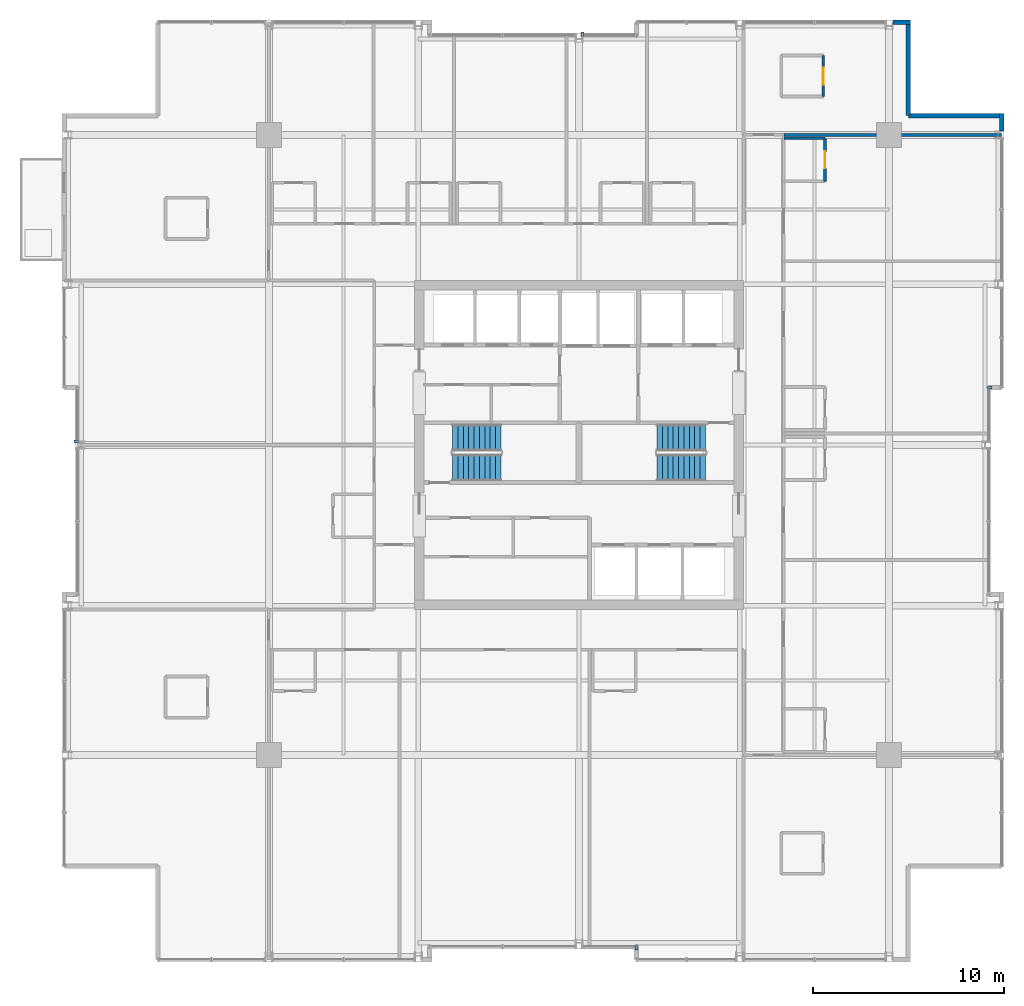
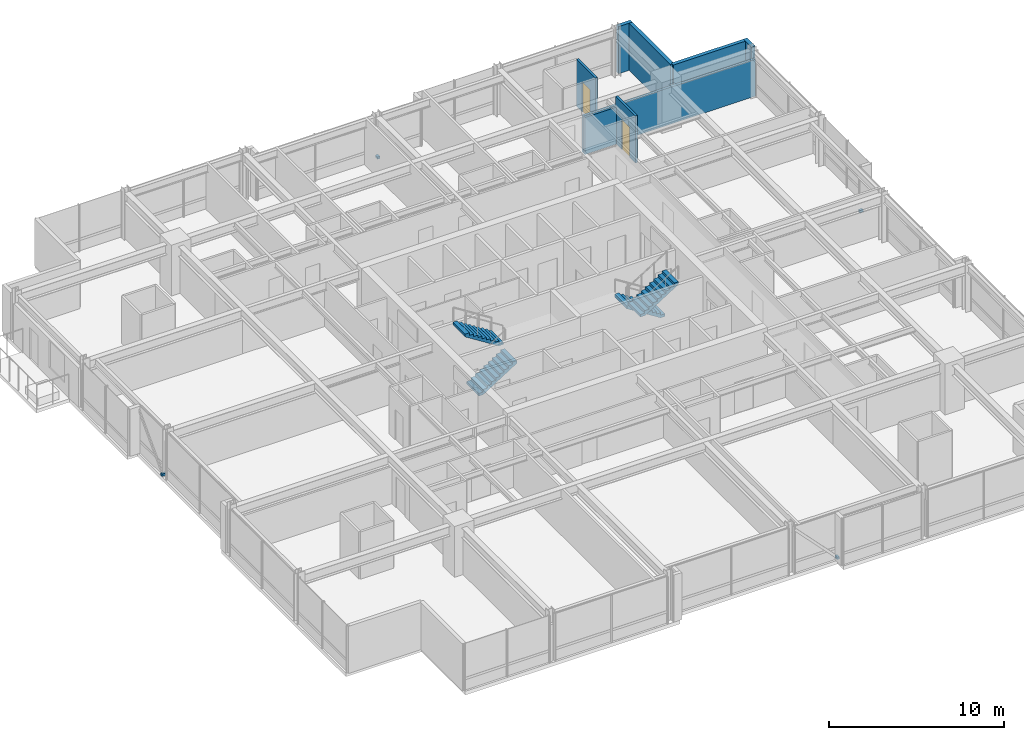
# One storey, part 29 of 32: 8 walls, 4 discrete accessories, 4 stair flights, 2 doors, 2 openings, 2 elements without a shape of their own.
"""IFC4 building model written with IfcOpenShell, lengths in metres."""

from ifc_helpers import new_model, si_unit, direction, frame, frame_2d, origin, origin_2d, place, context, subcontext, project, spatial, polyline, rectangle, outline, extrude, material, layer, layer_set, type_object, element, fill, aggregate, save


model = new_model("IFC4")

# Units and contexts
model_context = context("Model", 3, precision=1e-05, world=origin(), true_north=direction((0.0, 1.0)))
body_context = subcontext(model_context, "Body", "Model", "MODEL_VIEW")
ifc_project = project(units=[si_unit("LENGTHUNIT", "METRE"), si_unit("AREAUNIT", "SQUARE_METRE"), si_unit("VOLUMEUNIT", "CUBIC_METRE"), si_unit("PLANEANGLEUNIT", "RADIAN"), si_unit("MASSUNIT", "GRAM", prefix="KILO")], contexts=[model_context])

# Site, building, storey
site_placement = place(None, origin())
site = spatial("IfcSite", under=ifc_project, at=site_placement, CompositionType="ELEMENT")
building_placement = place(site_placement, origin())
building = spatial("IfcBuilding", under=site, at=building_placement, Name="Drelvath Grand Hotel", CompositionType="ELEMENT")
storey_placement = place(building_placement, frame((0.0, 0.0, 189.449951171875)))
storey = spatial("IfcBuildingStorey", under=building, at=storey_placement, Name="L49", CompositionType="ELEMENT", Elevation=189.449951171875)

# Wall, opening, door
ifc_material_1 = material(Name="Moisture-Resistant Gypsum Board")
ifc_layer_1 = layer(ifc_material_1, 0.139892578125)
ifc_layer_set_1 = layer_set([ifc_layer_1], Name="Moisture-Resistant Gypsum Board")
wall_type_1 = type_object("IfcWallType", Name="En-Suite Plumbing Wall 140", PredefinedType="PLUMBINGWALL", material=ifc_layer_set_1)
wall_1_placement = place(storey_placement, frame((12.760009765625, 45.199951171875, 0.0), z_axis=(0.0, 0.0, 1.0), x_axis=(0.0, 1.0, 0.0)))
wall_1 = element("IfcWall", 1, at=wall_1_placement, inside=storey, type_object=wall_type_1, Name="L49 Corner En-Suite East", PredefinedType="PLUMBINGWALL", context=body_context, shape_type="SweptSolid", body=[
    extrude(rectangle(XDim=2.150146484375, YDim=0.139892578125, at=frame_2d((1.0751953125, 0.0))), origin(), (0.0, 0.0, 1.0), 3.2900390625),
])
opening_1_placement = place(wall_1_placement, frame((0.6201171875, 0.0, 0.0)))
opening_1 = element("IfcOpeningElement", 2, at=opening_1_placement, cuts=wall_1, Name="Opening D-T3G4-032", PredefinedType="OPENING", context=body_context, shape_type="SweptSolid", body=[
    extrude(rectangle(XDim=0.8798828125, YDim=2.10009765625, at=frame_2d((0.43994140625, 1.050048828125))), frame((0.0, 0.079833984375, 0.0), z_axis=(0.0, -1.0, 0.0), x_axis=(1.0, 0.0, 0.0)), (0.0, 0.0, 1.0), 0.159912109375),
])
ifc_material_2 = material(Name="Hardwood Walnut Timber", Category="wood")
door_type = type_object("IfcDoorType", Name="En-Suite Bathroom Door 880x2100", OperationType="NOTDEFINED", PredefinedType="DOOR", material=ifc_material_2)
door_1_placement = place(opening_1_placement, origin())
door_1 = element("IfcDoor", 3, at=door_1_placement, inside=storey, type_object=door_type, Name="L49 Corner En-Suite Door", OperationType="SINGLE_SWING_RIGHT", OverallHeight=2.10009765625, OverallWidth=0.8798828125, PredefinedType="DOOR", context=body_context, shape_type="SweptSolid", body=[
    extrude(rectangle(XDim=0.8798828125, YDim=2.10009765625, at=frame_2d((0.43994140625, 1.050048828125))), frame((0.0, 0.02490234375, 0.0), z_axis=(0.0, -1.0, 0.0), x_axis=(1.0, 0.0, 0.0)), (0.0, 0.0, 1.0), 0.050048828125),
])
fill(opening_1, door_1)

# Wall
wall_2_placement = place(storey_placement, frame((10.699951171875, 43.02001953125, 0.0), z_axis=(0.0, 0.0, 1.0), x_axis=(1.0, 0.0, 0.0)))
element("IfcWall", 4, at=wall_2_placement, inside=storey, type_object=wall_type_1, Name="L49 En-Suite Right Wall", PredefinedType="PLUMBINGWALL", context=body_context, shape_type="SweptSolid", body=[
    extrude(rectangle(XDim=2.150146484375, YDim=0.139892578125, at=frame_2d((1.0751953125, 0.0))), origin(), (0.0, 0.0, 1.0), 2.57958984375),
])

# Wall, opening, door
wall_3_placement = place(storey_placement, frame((12.85009765625, 40.77001953125, 0.0), z_axis=(0.0, 0.0, 1.0), x_axis=(0.0, 1.0, 0.0)))
wall_3 = element("IfcWall", 5, at=wall_3_placement, inside=storey, type_object=wall_type_1, Name="L49 En-Suite Front Wall", PredefinedType="PLUMBINGWALL", context=body_context, shape_type="SweptSolid", body=[
    extrude(rectangle(XDim=2.25, YDim=0.139892578125, at=frame_2d((1.125, 0.0))), origin(), (0.0, 0.0, 1.0), 3.2900390625),
])
opening_2_placement = place(wall_3_placement, frame((0.68505859375, 0.0, 0.0)))
opening_2 = element("IfcOpeningElement", 6, at=opening_2_placement, cuts=wall_3, Name="Opening D-T3G4-055", PredefinedType="OPENING", context=body_context, shape_type="SweptSolid", body=[
    extrude(rectangle(XDim=0.8798828125, YDim=2.10009765625, at=frame_2d((0.43994140625, 1.050048828125))), frame((0.0, 0.079833984375, 0.0), z_axis=(0.0, -1.0, 0.0), x_axis=(1.0, 0.0, 0.0)), (0.0, 0.0, 1.0), 0.159912109375),
])
door_2_placement = place(opening_2_placement, origin())
door_2 = element("IfcDoor", 7, at=door_2_placement, inside=storey, type_object=door_type, Name="L49 En-Suite Bathroom Door", OperationType="SINGLE_SWING_LEFT", OverallHeight=2.10009765625, OverallWidth=0.8798828125, PredefinedType="DOOR", context=body_context, shape_type="SweptSolid", body=[
    extrude(rectangle(XDim=0.8798828125, YDim=2.10009765625, at=frame_2d((0.43994140625, 1.050048828125))), frame((0.0, 0.02490234375, 0.0), z_axis=(0.0, -1.0, 0.0), x_axis=(1.0, 0.0, 0.0)), (0.0, 0.0, 1.0), 0.050048828125),
])
fill(opening_2, door_2)

# Walls
ifc_material_3 = material(Name="Gypsum Acoustic Partition")
ifc_layer_2 = layer(ifc_material_3, 0.1650390625)
ifc_layer_set_2 = layer_set([ifc_layer_2], Name="Gypsum Acoustic Partition")
wall_type_2 = type_object("IfcWallType", Name="Suite Demising Wall 165", PredefinedType="PARTITIONING", material=ifc_layer_set_2)
wall_4_placement = place(storey_placement, frame((10.699951171875, 43.199951171875, 0.0), z_axis=(0.0, 0.0, 1.0), x_axis=(1.0, 0.0, 0.0)))
element("IfcWall", 8, at=wall_4_placement, inside=storey, type_object=wall_type_2, Name="L49 NE Suite South Wall", PredefinedType="PARTITIONING", context=body_context, shape_type="SweptSolid", body=[
    extrude(rectangle(XDim=11.380126953125, YDim=0.1650390625, at=frame_2d((5.68994140625, 0.0))), origin(), (0.0, 0.0, 1.0), 2.57958984375),
])
ifc_material_4 = material(Name="Pale-Metal Insulated Aluminium Spandrel Assembly", Category="aluminium")
ifc_layer_3 = layer(ifc_material_4, 0.239990234375)
ifc_layer_set_3 = layer_set([ifc_layer_3], Name="Pale-Metal Insulated Aluminium Spandrel Assembly")
wall_type_3 = type_object("IfcWallType", Name="Tower Insulated Metal Spandrel Closure Wall 240", PredefinedType="STANDARD", material=ifc_layer_set_3)
for number, where, z_axis, x_axis, name in (
    (9, (22.080078125, 44.320068359375, 0.0), (0.0, 0.0, 1.0), (0.0, -1.0, 0.0), "L49 Corner Pier Spandrel Wall EN3"),
    (10, (16.3916015625, 49.080078125, 0.0), (0.0, 0.0, 1.0), (1.0, 0.0, 0.0), "L49 Corner Pier Spandrel Wall NE3"),
):
    element("IfcWall", number, at=place(storey_placement, frame(where, z_axis=z_axis, x_axis=x_axis)), inside=storey, type_object=wall_type_3, Name=name, PredefinedType="STANDARD", context=body_context, shape_type="SweptSolid", body=[
        extrude(rectangle(XDim=0.928466796875, YDim=0.239990234375, at=frame_2d((0.46435546875, 0.0))), origin(), (0.0, 0.0, 1.0), 3.2900390625),
    ])
for number, where, z_axis, x_axis, name in (
    (11, (17.199951171875, 48.9599609375, 0.0), (0.0, 0.0, 1.0), (0.0, -1.0, 0.0), "L49 Notched Corner Return Spandrel Wall CNE1"),
    (12, (17.199951171875, 44.199951171875, 0.0), (0.0, 0.0, 1.0), (1.0, 0.0, 0.0), "L49 Notched Corner Return Spandrel Wall CNE2"),
):
    element("IfcWall", number, at=place(storey_placement, frame(where, z_axis=z_axis, x_axis=x_axis)), inside=storey, type_object=wall_type_3, Name=name, PredefinedType="STANDARD", context=body_context, shape_type="SweptSolid", body=[
        extrude(rectangle(XDim=4.760009765625, YDim=0.239990234375, at=frame_2d((2.3798828125, 0.0))), origin(), (0.0, 0.0, 1.0), 3.2900390625),
    ])

# Stair, stair flights
ifc_material_5 = material(Name="Concrete C40/50", Category="concrete")
stair_type = type_object("IfcStairType", Name="Dogleg Exit Stair W1400-R177.5", PredefinedType="HALF_TURN_STAIR", material=ifc_material_5)
stair_1_placement = place(storey_placement, origin())
stair_1 = element("IfcStair", 13, at=stair_1_placement, inside=storey, type_object=stair_type, Name="L49 Core Exit Stair ST-1", PredefinedType="HALF_TURN_STAIR")
stair_flight_type = type_object("IfcStairFlightType", Name="Concrete Stair Flight W1400-R177.5", PredefinedType="STRAIGHT", material=ifc_material_5)
stair_flight_1_placement = place(storey_placement, frame((-6.60009765625, 25.820068359375, 0.0), z_axis=(0.0, 0.0, 1.0), x_axis=(1.0, 0.0, 0.0)))
stair_flight_1 = element("IfcStairFlight", 14, at=stair_flight_1_placement, type_object=stair_flight_type, Name="ST-1 flight 1", NumberOfRisers=10, NumberOfTreads=9, PredefinedType="STRAIGHT", RiserHeight=0.1775, TreadLength=0.28, context=body_context, shape_type="SweptSolid", body=[
    extrude(outline(polyline([(0.0, 0.0), (0.0, 0.177490234375), (0.280029296875, 0.177490234375), (0.280029296875, 0.35498046875), (0.56005859375, 0.35498046875), (0.56005859375, 0.532470703125), (0.840087890625, 0.532470703125), (0.840087890625, 0.7099609375), (1.1201171875, 0.7099609375), (1.1201171875, 0.887451171875), (1.39990234375, 0.887451171875), (1.39990234375, 1.06494140625), (1.679931640625, 1.06494140625), (1.679931640625, 1.242431640625), (1.9599609375, 1.242431640625), (1.9599609375, 1.419921875), (2.239990234375, 1.419921875), (2.239990234375, 1.597412109375), (2.52001953125, 1.597412109375), (2.52001953125, 1.77490234375), (2.52001953125, 1.408203125), (0.298583984375, 0.0), (0.0, 0.0)])), frame((0.0, 0.699951171875, 0.0), z_axis=(0.0, -1.0, 0.0), x_axis=(1.0, 0.0, 0.0)), (0.0, 0.0, 1.0), 1.39990234375),
])
stair_flight_2_placement = place(storey_placement, frame((-4.080078125, 27.3798828125, 1.775146484375), z_axis=(0.0, 0.0, 1.0), x_axis=(-1.0, 0.0, 0.0)))
stair_flight_2 = element("IfcStairFlight", 15, at=stair_flight_2_placement, type_object=stair_flight_type, Name="ST-1 flight 2", NumberOfRisers=10, NumberOfTreads=9, PredefinedType="STRAIGHT", RiserHeight=0.1775, TreadLength=0.28, context=body_context, shape_type="SweptSolid", body=[
    extrude(outline(polyline([(0.0, 0.0), (0.0, 0.177490234375), (0.280029296875, 0.177490234375), (0.280029296875, 0.35498046875), (0.56005859375, 0.35498046875), (0.56005859375, 0.532470703125), (0.840087890625, 0.532470703125), (0.840087890625, 0.7099609375), (1.1201171875, 0.7099609375), (1.1201171875, 0.887451171875), (1.39990234375, 0.887451171875), (1.39990234375, 1.06494140625), (1.679931640625, 1.06494140625), (1.679931640625, 1.242431640625), (1.9599609375, 1.242431640625), (1.9599609375, 1.419921875), (2.239990234375, 1.419921875), (2.239990234375, 1.597412109375), (2.52001953125, 1.597412109375), (2.52001953125, 1.77490234375), (2.52001953125, 1.408203125), (0.298583984375, 0.0), (0.0, 0.0)])), frame((0.0, 0.699951171875, 0.0), z_axis=(0.0, -1.0, 0.0), x_axis=(1.0, 0.0, 0.0)), (0.0, 0.0, 1.0), 1.39990234375),
])
aggregate(stair_1, [stair_flight_1, stair_flight_2])

stair_2_placement = place(storey_placement, origin())
stair_2 = element("IfcStair", 16, at=stair_2_placement, inside=storey, type_object=stair_type, Name="L49 Core Exit Stair ST-2", PredefinedType="HALF_TURN_STAIR")
stair_flight_3_placement = place(storey_placement, frame((6.60009765625, 27.3798828125, 0.0), z_axis=(0.0, 0.0, 1.0), x_axis=(-1.0, 0.0, 0.0)))
stair_flight_3 = element("IfcStairFlight", 17, at=stair_flight_3_placement, type_object=stair_flight_type, Name="ST-2 flight 1", NumberOfRisers=10, NumberOfTreads=9, PredefinedType="STRAIGHT", RiserHeight=0.1775, TreadLength=0.28, context=body_context, shape_type="SweptSolid", body=[
    extrude(outline(polyline([(0.0, 0.0), (0.0, 0.177490234375), (0.280029296875, 0.177490234375), (0.280029296875, 0.35498046875), (0.56005859375, 0.35498046875), (0.56005859375, 0.532470703125), (0.840087890625, 0.532470703125), (0.840087890625, 0.7099609375), (1.1201171875, 0.7099609375), (1.1201171875, 0.887451171875), (1.39990234375, 0.887451171875), (1.39990234375, 1.06494140625), (1.679931640625, 1.06494140625), (1.679931640625, 1.242431640625), (1.9599609375, 1.242431640625), (1.9599609375, 1.419921875), (2.239990234375, 1.419921875), (2.239990234375, 1.597412109375), (2.52001953125, 1.597412109375), (2.52001953125, 1.77490234375), (2.52001953125, 1.408203125), (0.298583984375, 0.0), (0.0, 0.0)])), frame((0.0, 0.699951171875, 0.0), z_axis=(0.0, -1.0, 0.0), x_axis=(1.0, 0.0, 0.0)), (0.0, 0.0, 1.0), 1.39990234375),
])
stair_flight_4_placement = place(storey_placement, frame((4.080078125, 25.820068359375, 1.775146484375), z_axis=(0.0, 0.0, 1.0), x_axis=(1.0, 0.0, 0.0)))
stair_flight_4 = element("IfcStairFlight", 18, at=stair_flight_4_placement, type_object=stair_flight_type, Name="ST-2 flight 2", NumberOfRisers=10, NumberOfTreads=9, PredefinedType="STRAIGHT", RiserHeight=0.1775, TreadLength=0.28, context=body_context, shape_type="SweptSolid", body=[
    extrude(outline(polyline([(0.0, 0.0), (0.0, 0.177490234375), (0.280029296875, 0.177490234375), (0.280029296875, 0.35498046875), (0.56005859375, 0.35498046875), (0.56005859375, 0.532470703125), (0.840087890625, 0.532470703125), (0.840087890625, 0.7099609375), (1.1201171875, 0.7099609375), (1.1201171875, 0.887451171875), (1.39990234375, 0.887451171875), (1.39990234375, 1.06494140625), (1.679931640625, 1.06494140625), (1.679931640625, 1.242431640625), (1.9599609375, 1.242431640625), (1.9599609375, 1.419921875), (2.239990234375, 1.419921875), (2.239990234375, 1.597412109375), (2.52001953125, 1.597412109375), (2.52001953125, 1.77490234375), (2.52001953125, 1.408203125), (0.298583984375, 0.0), (0.0, 0.0)])), frame((0.0, 0.699951171875, 0.0), z_axis=(0.0, -1.0, 0.0), x_axis=(1.0, 0.0, 0.0)), (0.0, 0.0, 1.0), 1.39990234375),
])
aggregate(stair_2, [stair_flight_3, stair_flight_4])

# Discrete accessories
ifc_material_6 = material(Name="Stainless Steel Grade 316", Category="steel")
discrete_accessory_type = type_object("IfcDiscreteAccessoryType", Name="Curtain Wall Fin Mounting Bracket Cleat", PredefinedType="BRACKET", material=ifc_material_6)
for number, where, z_axis, x_axis, name in (
    (19, (-26.260009765625, 27.191650390625, 0.10009765625), (0.0, 0.0, 1.0), (0.0, 1.0, 0.0), "L49 Fin Mounting Bracket CW04-L49-WM2-1"),
    (20, (21.4599609375, 30.0, 0.10009765625), (0.0, 0.0, 1.0), (0.0, -1.0, 0.0), "L49 Fin Mounting Bracket CW04-L49-EM2-1"),
    (21, (0.191650390625, 48.4599609375, 0.10009765625), (0.0, 0.0, 1.0), (1.0, 0.0, 0.0), "L49 Fin Mounting Bracket CW04-L49-NM2-1"),
    (22, (3.0, 0.739990234375, 0.10009765625), (0.0, 0.0, 1.0), (-1.0, 0.0, 0.0), "L49 Fin Mounting Bracket CW04-L49-SM2-1"),
):
    element("IfcDiscreteAccessory", number, at=place(storey_placement, frame(where, z_axis=z_axis, x_axis=x_axis)), inside=storey, type_object=discrete_accessory_type, Name=name, PredefinedType="BRACKET", context=body_context, shape_type="SweptSolid", body=[
        extrude(rectangle(XDim=0.159912109375, YDim=0.239990234375, at=origin_2d()), origin(), (0.0, 0.0, 1.0), 0.159912109375),
    ])

save(model, "model.ifc")
